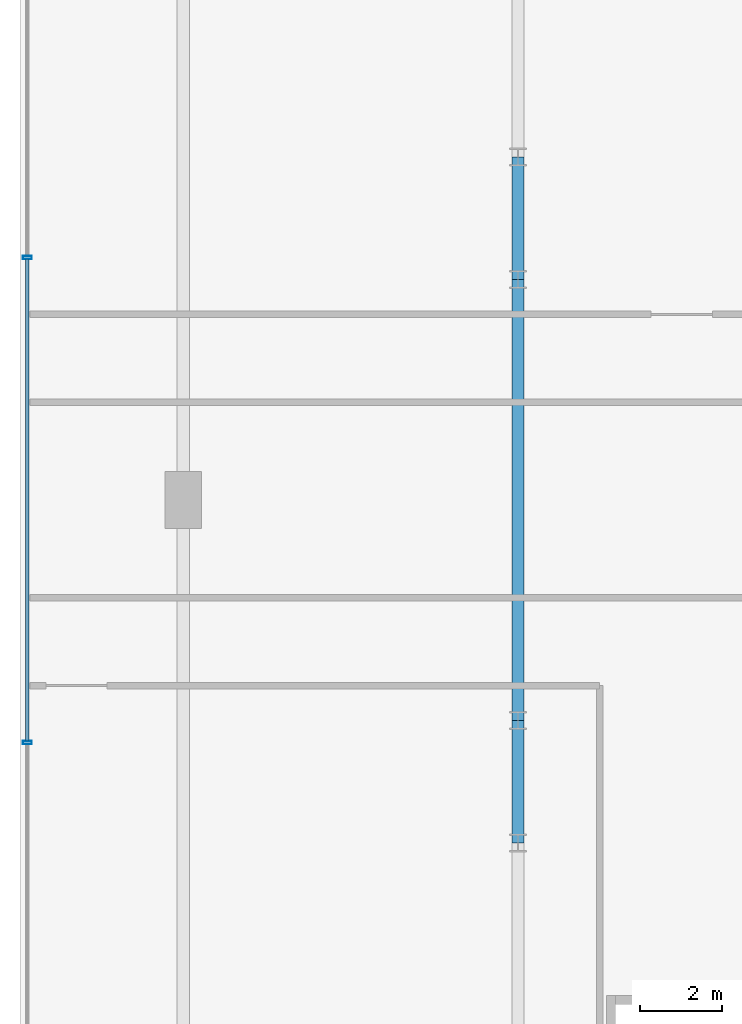
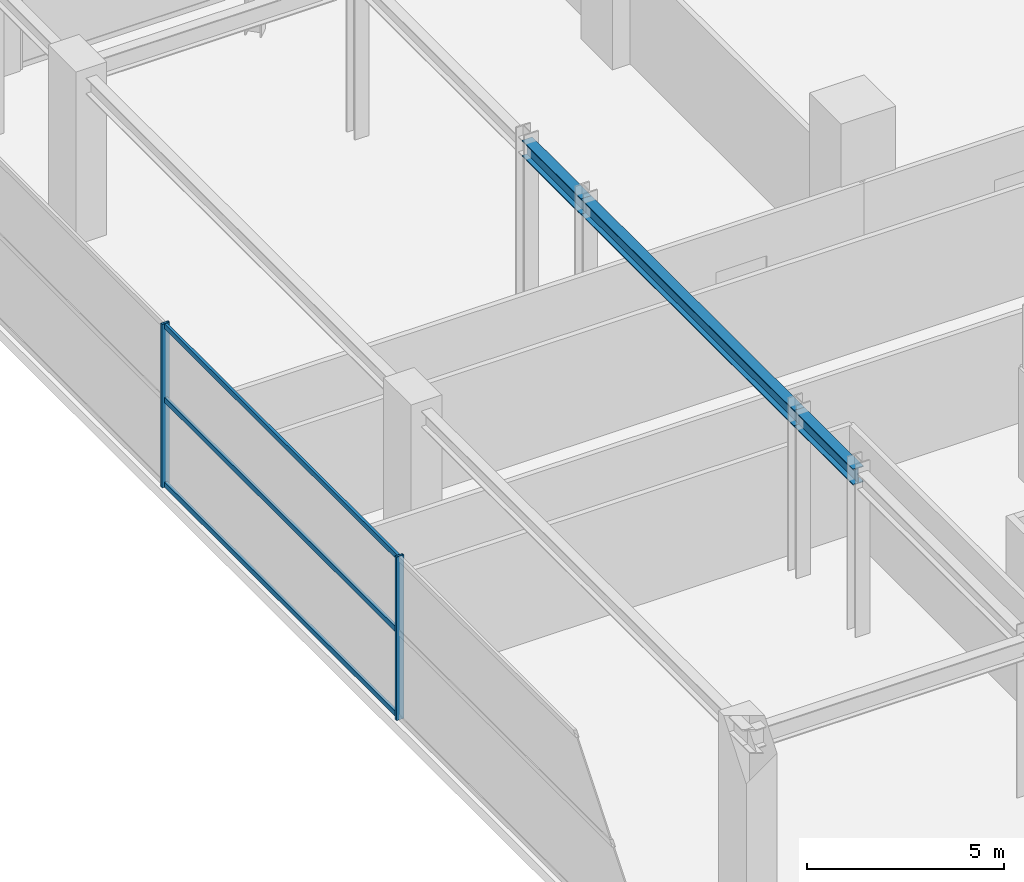
# One storey, part 8 of 32: 5 members, 3 beams, 1 element without a shape of its own.
"""IFC4 building model written with IfcOpenShell, lengths in metres."""

from ifc_helpers import new_model, si_unit, direction, frame, origin, origin_2d, place, context, subcontext, project, spatial, hollow_rectangle, i_section, extrude, source, transform, mapped, material, material_profile, profile_set, type_object, element, aggregate, save


model = new_model("IFC4")

# Units and contexts
model_context = context("Model", 3, precision=1e-05, world=origin(), true_north=direction((0.0, 1.0)))
body_context = subcontext(model_context, "Body", "Model", "MODEL_VIEW")
ifc_project = project(units=[si_unit("LENGTHUNIT", "METRE"), si_unit("AREAUNIT", "SQUARE_METRE"), si_unit("VOLUMEUNIT", "CUBIC_METRE"), si_unit("PLANEANGLEUNIT", "RADIAN"), si_unit("MASSUNIT", "GRAM", prefix="KILO")], contexts=[model_context])

# Site, building, storey
site_placement = place(None, origin())
site = spatial("IfcSite", under=ifc_project, at=site_placement, CompositionType="ELEMENT")
building_placement = place(site_placement, origin())
building = spatial("IfcBuilding", under=site, at=building_placement, Name="Nahalor Promenade Grand Hotel", CompositionType="ELEMENT")
storey_placement = place(building_placement, frame((0.0, 0.0, 10.800048828125)))
storey = spatial("IfcBuildingStorey", under=building, at=storey_placement, Name="L02", CompositionType="ELEMENT", Elevation=10.800048828125)

# Beams
ifc_material_1 = material(Name="Steel S355JR", Category="steel")
ifc_material_profile_1 = material_profile(ifc_material_1, i_section(OverallWidth=0.3, OverallDepth=0.5, WebThickness=0.0145, FlangeThickness=0.028, at=origin_2d()), Name="HEB 500")
ifc_profile_set_1 = profile_set([ifc_material_profile_1], Name="Steel S355JR")
beam_type = type_object("IfcBeamType", Name="Beam-Spandrel-HEB500", PredefinedType="SPANDREL", material=ifc_profile_set_1)
shared_shape_1 = source(origin(), body_context, "Body", "SweptSolid", [
    extrude(i_section(OverallWidth=0.3, OverallDepth=0.5, WebThickness=0.0145, FlangeThickness=0.028, at=origin_2d()), origin(), (0.0, 0.0, 1.0), 3.0),
])
for number, where, z_axis, x_axis, name in (
    (1, (-24.800048828125, -8.39990234375, 4.81005859375), (0.0, 1.0, 0.0), (-1.0, 0.0, 0.0), "BM-L02-SP-W-1"),
    (2, (-24.800048828125, 5.39990234375, 4.81005859375), (0.0, 1.0, 0.0), (-1.0, 0.0, 0.0), "BM-L02-SP-W-3"),
):
    element("IfcBeam", number, at=place(storey_placement, frame(where, z_axis=z_axis, x_axis=x_axis)), inside=storey, type_object=beam_type, Name=name, PredefinedType="SPANDREL", context=body_context, shape_type="MappedRepresentation", body=[
        mapped(shared_shape_1, transform((0.0, 0.0, 0.0), scale=1.0)),
    ])
shared_shape_2 = source(origin(), body_context, "Body", "SweptSolid", [
    extrude(i_section(OverallWidth=0.3, OverallDepth=0.5, WebThickness=0.0145, FlangeThickness=0.028, at=origin_2d()), origin(), (0.0, 0.0, 1.0), 10.7998046875),
])
beam_placement = place(storey_placement, frame((-24.800048828125, -5.39990234375, 4.81005859375), z_axis=(0.0, 1.0, 0.0), x_axis=(-1.0, 0.0, 0.0)))
element("IfcBeam", 3, at=beam_placement, inside=storey, type_object=beam_type, Name="BM-L02-SP-W-2", PredefinedType="SPANDREL", context=body_context, shape_type="MappedRepresentation", body=[
    mapped(shared_shape_2, transform((0.0, 0.0, 0.0), scale=1.0)),
])

# Curtain wall, members
ifc_material_2 = material(Name="Anodised Bronze Aluminium EN AW-6063 T6", Category="aluminium")
curtain_wall_type = type_object("IfcCurtainWallType", Name="CW1 Waterfront Podium Bronze Arcade Curtain Wall", PredefinedType="USERDEFINED", material=ifc_material_2)
curtain_wall_placement = place(storey_placement, origin())
curtain_wall = element("IfcCurtainWall", 4, at=curtain_wall_placement, inside=storey, type_object=curtain_wall_type, Name="L02 Curtain Wall CW-L02-W", ObjectType="UNITISED_CURTAIN_WALL", PredefinedType="USERDEFINED")
ifc_material_profile_2 = material_profile(ifc_material_2, hollow_rectangle(XDim=0.08, YDim=0.16, WallThickness=0.004, at=origin_2d()), Name="CWT 80x160x4")
ifc_profile_set_2 = profile_set([ifc_material_profile_2], Name="Anodised Bronze Aluminium EN AW-6063 T6")
member_type_1 = type_object("IfcMemberType", Name="CWT1 Podium Bronze Transom 80x160", PredefinedType="USERDEFINED", material=ifc_profile_set_2)
shared_shape_3 = source(origin(), body_context, "Body", "SweptSolid", [
    extrude(hollow_rectangle(XDim=0.08, YDim=0.16, WallThickness=0.004, at=origin_2d()), origin(), (0.0, 0.0, 1.0), 11.7998046875),
])
member_1_placement = place(storey_placement, frame((-36.820068359375, -5.89990234375, 0.079833984375), z_axis=(0.0, 1.0, 0.0), x_axis=(-1.0, 0.0, 0.0)))
member_1 = element("IfcMember", 5, at=member_1_placement, type_object=member_type_1, Name="CW-L02-W Transom 1-0", ObjectType="TRANSOM", PredefinedType="USERDEFINED", context=body_context, shape_type="MappedRepresentation", body=[
    mapped(shared_shape_3, transform((0.0, 0.0, 0.0), scale=1.0)),
])
member_2_placement = place(storey_placement, frame((-36.820068359375, -5.89990234375, 2.699951171875), z_axis=(0.0, 1.0, 0.0), x_axis=(-1.0, 0.0, 0.0)))
member_2 = element("IfcMember", 6, at=member_2_placement, type_object=member_type_1, Name="CW-L02-W Transom 1-1", ObjectType="TRANSOM", PredefinedType="USERDEFINED", context=body_context, shape_type="MappedRepresentation", body=[
    mapped(shared_shape_3, transform((0.0, 0.0, 0.0), scale=1.0)),
])
member_3_placement = place(storey_placement, frame((-36.820068359375, -5.89990234375, 4.97998046875), z_axis=(0.0, 1.0, 0.0), x_axis=(-1.0, 0.0, 0.0)))
member_3 = element("IfcMember", 7, at=member_3_placement, type_object=member_type_1, Name="CW-L02-W Transom 1-2", ObjectType="TRANSOM", PredefinedType="USERDEFINED", context=body_context, shape_type="MappedRepresentation", body=[
    mapped(shared_shape_3, transform((0.0, 0.0, 0.0), scale=1.0)),
])
ifc_material_profile_3 = material_profile(ifc_material_2, hollow_rectangle(XDim=0.08, YDim=0.22, WallThickness=0.005, at=origin_2d()), Name="CWM 80x220x5")
ifc_profile_set_3 = profile_set([ifc_material_profile_3], Name="Anodised Bronze Aluminium EN AW-6063 T6")
member_type_2 = type_object("IfcMemberType", Name="CWM1 Podium Bronze Mullion 80x220", PredefinedType="MULLION", material=ifc_profile_set_3)
shared_shape_4 = source(origin(), body_context, "Body", "SweptSolid", [
    extrude(hollow_rectangle(XDim=0.08, YDim=0.22, WallThickness=0.005, at=origin_2d()), origin(), (0.0, 0.0, 1.0), 5.06005859375),
])
member_4_placement = place(storey_placement, frame((-36.820068359375, -5.93994140625, 0.0), z_axis=(0.0, 0.0, 1.0), x_axis=(0.0, 1.0, 0.0)))
member_4 = element("IfcMember", 8, at=member_4_placement, type_object=member_type_2, Name="CW-L02-W Mullion 1", PredefinedType="MULLION", context=body_context, shape_type="MappedRepresentation", body=[
    mapped(shared_shape_4, transform((0.0, 0.0, 0.0), scale=1.0)),
])
member_5_placement = place(storey_placement, frame((-36.820068359375, 5.93994140625, 0.0), z_axis=(0.0, 0.0, 1.0), x_axis=(0.0, 1.0, 0.0)))
member_5 = element("IfcMember", 9, at=member_5_placement, type_object=member_type_2, Name="CW-L02-W Mullion 2", PredefinedType="MULLION", context=body_context, shape_type="MappedRepresentation", body=[
    mapped(shared_shape_4, transform((0.0, 0.0, 0.0), scale=1.0)),
])
aggregate(curtain_wall, [member_4, member_5, member_1, member_2, member_3])

save(model, "model.ifc")
